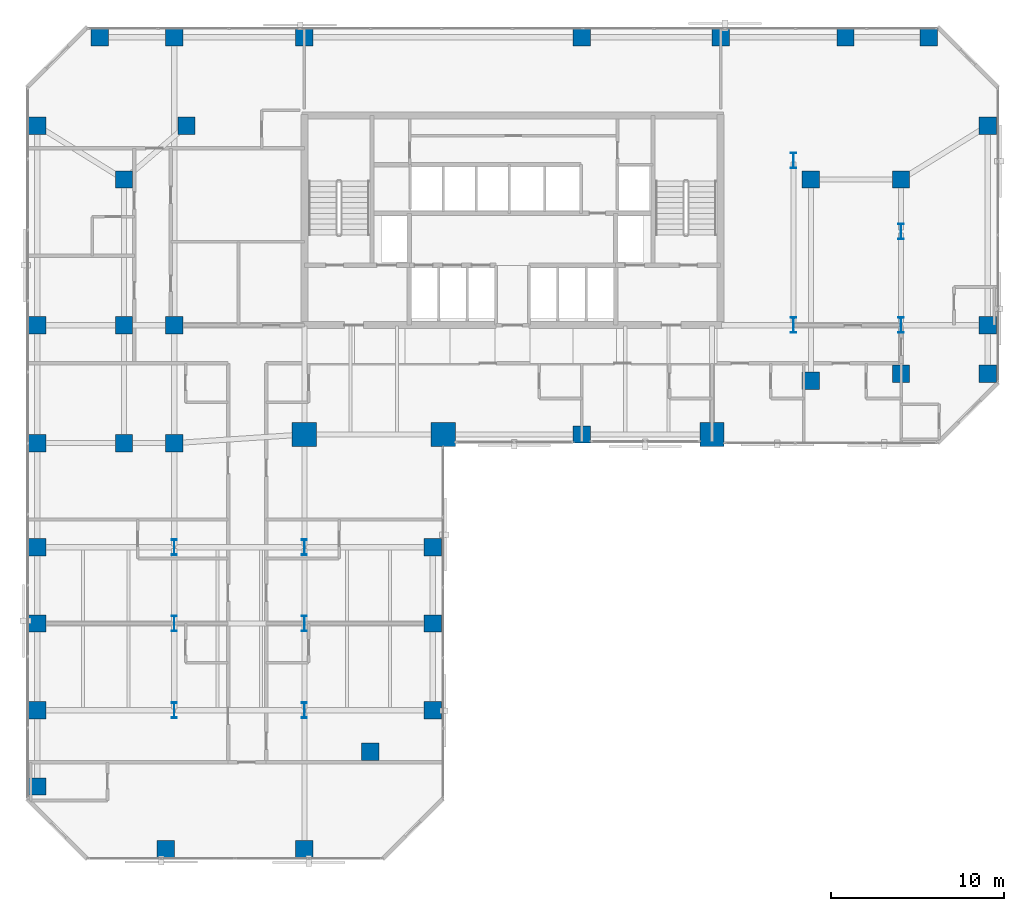
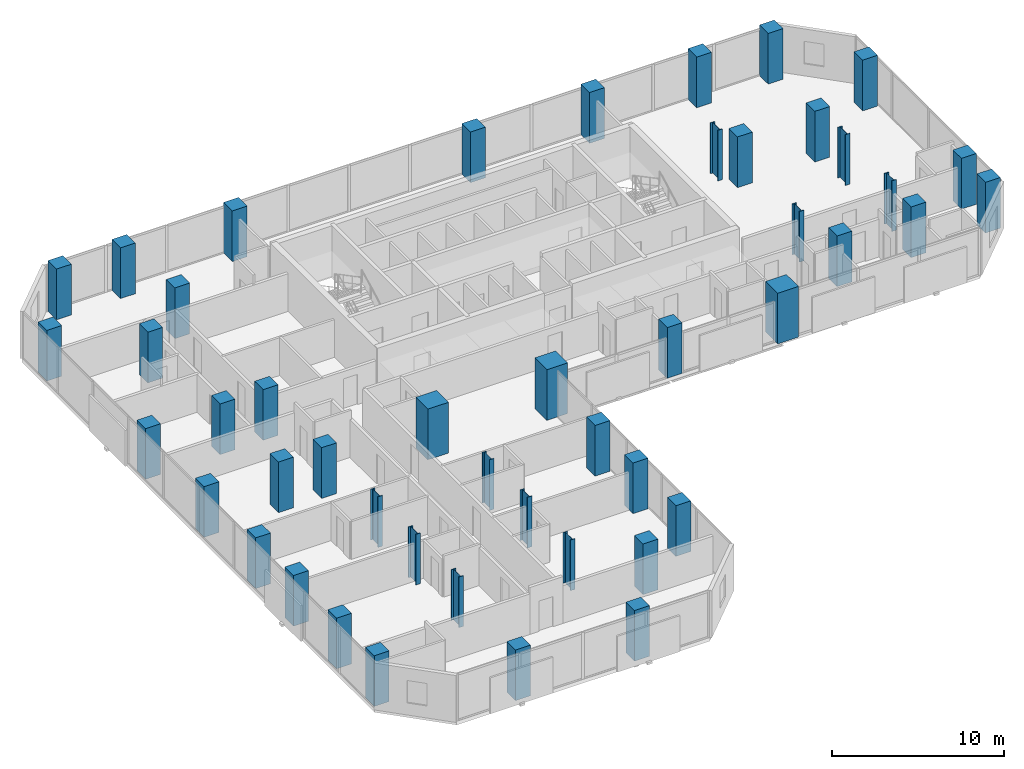
# One storey, part 1 of 32: 47 columns.
"""IFC4 building model written with IfcOpenShell, lengths in metres."""

from ifc_helpers import new_model, si_unit, direction, frame, origin, origin_2d, place, context, subcontext, project, spatial, rectangle, i_section, extrude, material, material_profile, profile_set, type_object, element, save


model = new_model("IFC4")

# Units and contexts
model_context = context("Model", 3, precision=1e-05, world=origin(), true_north=direction((0.0, 1.0)))
body_context = subcontext(model_context, "Body", "Model", "MODEL_VIEW")
ifc_project = project(units=[si_unit("LENGTHUNIT", "METRE"), si_unit("AREAUNIT", "SQUARE_METRE"), si_unit("VOLUMEUNIT", "CUBIC_METRE"), si_unit("PLANEANGLEUNIT", "RADIAN"), si_unit("MASSUNIT", "GRAM", prefix="KILO")], contexts=[model_context])

# Site, building, storey
site_placement = place(None, origin())
site = spatial("IfcSite", under=ifc_project, at=site_placement, CompositionType="ELEMENT")
building_placement = place(site_placement, origin())
building = spatial("IfcBuilding", under=site, at=building_placement, Name="Catumbela Crestline Tower", CompositionType="ELEMENT")
storey_placement = place(building_placement, frame((0.0, 0.0, 33.0)))
storey = spatial("IfcBuildingStorey", under=building, at=storey_placement, Name="L07", CompositionType="ELEMENT", Elevation=33.0)

# Columns
ifc_material_1 = material(Name="Concrete C60/75", Category="concrete")
ifc_material_profile_1 = material_profile(ifc_material_1, rectangle(XDim=1.0, YDim=1.0, at=origin_2d()), Name="RC 1000x1000")
ifc_profile_set_1 = profile_set([ifc_material_profile_1], Name="Concrete C60/75")
column_type_1 = type_object("IfcColumnType", Name="C-RC1000-C60", PredefinedType="COLUMN", material=ifc_profile_set_1)
for number, where, z_axis, x_axis, name in (
    (1, (8.5, 24.0, 0.0), (0.0, 0.0, 1.0), (1.0, 0.0, 0.0), "L07 Column C-08-24 (RC 1000x1000)"),
    (2, (32.0, 24.5, 0.0), (0.0, 0.0, 1.0), (1.0, 0.0, 0.0), "L07 Column C-32-24 (RC 1000x1000)"),
    (3, (5.6, 24.0, 0.0), (0.0, 0.0, 1.0), (1.0, 0.0, 0.0), "L07 Column C-05-24 (RC 1000x1000)"),
    (4, (5.6, 30.8, 0.0), (0.0, 0.0, 1.0), (1.0, 0.0, 0.0), "L07 Column C-05-31 (RC 1000x1000)"),
    (5, (5.6, 39.2, 0.0), (0.0, 0.0, 1.0), (1.0, 0.0, 0.0), "L07 Column C-05-43 (RC 1000x1000)"),
    (6, (8.5, 30.8, 0.0), (0.0, 0.0, 1.0), (1.0, 0.0, 0.0), "L07 Column C-08-31 (RC 1000x1000)"),
    (7, (9.2, 42.3, 0.0), (0.0, 0.0, 1.0), (1.0, 0.0, 0.0), "L07 Column C-08-43 (RC 1000x1000)"),
    (8, (45.2, 27.6, 0.0), (0.0, 0.0, 1.0), (1.0, 0.0, 0.0), "L07 Column C-46-24 (RC 1000x1000)"),
    (9, (45.2, 39.2, 0.0), (0.0, 0.0, 1.0), (1.0, 0.0, 0.0), "L07 Column C-46-43 (RC 1000x1000)"),
    (10, (0.6, 24.0, 0.0), (0.0, 0.0, 1.0), (1.0, 0.0, 0.0), "L07 Column C-00-24 (RC 1000x1000)"),
    (11, (0.6, 30.8, 0.0), (0.0, 0.0, 1.0), (1.0, 0.0, 0.0), "L07 Column C-00-31 (RC 1000x1000)"),
    (12, (0.6, 42.3, 0.0), (0.0, 0.0, 1.0), (1.0, 0.0, 0.0), "L07 Column C-00-43 (RC 1000x1000)"),
    (13, (4.2, 47.4, 0.0), (0.0, 0.0, 1.0), (1.0, 0.0, 0.0), "L07 Column C-00-48 (RC 1000x1000)"),
    (14, (8.5, 47.4, 0.0), (0.0, 0.0, 1.0), (1.0, 0.0, 0.0), "L07 Column C-08-48 (RC 1000x1000)"),
    (15, (16.0, 47.4, 0.0), (0.0, 0.0, 1.0), (1.0, 0.0, 0.0), "L07 Column C-16-48 (RC 1000x1000)"),
    (16, (32.0, 47.4, 0.0), (0.0, 0.0, 1.0), (1.0, 0.0, 0.0), "L07 Column C-32-48 (RC 1000x1000)"),
    (17, (40.0, 47.4, 0.0), (0.0, 0.0, 1.0), (1.0, 0.0, 0.0), "L07 Column C-40-48 (RC 1000x1000)"),
    (18, (47.2, 47.4, 0.0), (0.0, 0.0, 1.0), (1.0, 0.0, 0.0), "L07 Column C-48-48 (RC 1000x1000)"),
    (19, (50.4, 28.0, 0.0), (0.0, 0.0, 1.0), (1.0, 0.0, 0.0), "L07 Column C-51-24 (RC 1000x1000)"),
    (20, (50.4, 39.2, 0.0), (0.0, 0.0, 1.0), (1.0, 0.0, 0.0), "L07 Column C-51-43 (RC 1000x1000)"),
    (21, (55.4, 28.0, 0.0), (0.0, 0.0, 1.0), (1.0, 0.0, 0.0), "L07 Column C-56-24 (RC 1000x1000)"),
    (22, (55.4, 30.8, 0.0), (0.0, 0.0, 1.0), (1.0, 0.0, 0.0), "L07 Column C-56-31 (RC 1000x1000)"),
    (23, (55.4, 42.3, 0.0), (0.0, 0.0, 1.0), (1.0, 0.0, 0.0), "L07 Column C-56-43 (RC 1000x1000)"),
    (24, (52.0, 47.4, 0.0), (0.0, 0.0, 1.0), (1.0, 0.0, 0.0), "L07 Column C-56-48 (RC 1000x1000)"),
    (25, (0.6, 8.6, 0.0), (0.0, 0.0, 1.0), (1.0, 0.0, 0.0), "L07 Column C-00-05 (RC 1000x1000)"),
    (26, (0.6, 13.6, 0.0), (0.0, 0.0, 1.0), (1.0, 0.0, 0.0), "L07 Column C-00-10 (RC 1000x1000)"),
    (27, (0.6, 18.0, 0.0), (0.0, 0.0, 1.0), (1.0, 0.0, 0.0), "L07 Column C-00-16 (RC 1000x1000)"),
    (28, (0.6, 4.2, 0.0), (0.0, 0.0, 1.0), (1.0, 0.0, 0.0), "L07 Column C-00-03 (RC 1000x1000)"),
    (29, (8.0, 0.6, 0.0), (0.0, 0.0, 1.0), (1.0, 0.0, 0.0), "L07 Column C-08-00 (RC 1000x1000)"),
    (30, (16.0, 0.6, 0.0), (0.0, 0.0, 1.0), (1.0, 0.0, 0.0), "L07 Column C-16-00 (RC 1000x1000)"),
    (31, (19.8, 6.2, 0.0), (0.0, 0.0, 1.0), (1.0, 0.0, 0.0), "L07 Column C-24-05 (RC 1000x1000)"),
    (32, (23.4, 8.6, 0.0), (0.0, 0.0, 1.0), (1.0, 0.0, 0.0), "L07 Column C-23-08 (RC 1000x1000)"),
    (33, (23.4, 13.6, 0.0), (0.0, 0.0, 1.0), (1.0, 0.0, 0.0), "L07 Column C-24-10 (RC 1000x1000)"),
    (34, (23.4, 18.0, 0.0), (0.0, 0.0, 1.0), (1.0, 0.0, 0.0), "L07 Column C-24-16 (RC 1000x1000)"),
):
    element("IfcColumn", number, at=place(storey_placement, frame(where, z_axis=z_axis, x_axis=x_axis)), inside=storey, type_object=column_type_1, Name=name, PredefinedType="COLUMN", context=body_context, shape_type="SweptSolid", body=[
        extrude(rectangle(XDim=1.0, YDim=1.0, at=origin_2d()), origin(), (0.0, 0.0, 1.0), 3.6),
    ])
ifc_material_profile_2 = material_profile(ifc_material_1, rectangle(XDim=1.4, YDim=1.4, at=origin_2d()), Name="RC 1400x1400")
ifc_profile_set_2 = profile_set([ifc_material_profile_2], Name="Concrete C60/75")
column_type_2 = type_object("IfcColumnType", Name="C-RC1400-C60", PredefinedType="COLUMN", material=ifc_profile_set_2)
for number, where, z_axis, x_axis, name in (
    (35, (16.0, 24.5, 0.0), (0.0, 0.0, 1.0), (1.0, 0.0, 0.0), "L07 Column C-16-24 (RC 1400x1400)"),
    (36, (24.0, 24.5, 0.0), (0.0, 0.0, 1.0), (1.0, 0.0, 0.0), "L07 Column C-24-24 (RC 1400x1400)"),
    (37, (39.5, 24.5, 0.0), (0.0, 0.0, 1.0), (1.0, 0.0, 0.0), "L07 Column C-40-24 (RC 1400x1400)"),
):
    element("IfcColumn", number, at=place(storey_placement, frame(where, z_axis=z_axis, x_axis=x_axis)), inside=storey, type_object=column_type_2, Name=name, PredefinedType="COLUMN", context=body_context, shape_type="SweptSolid", body=[
        extrude(rectangle(XDim=1.4, YDim=1.4, at=origin_2d()), origin(), (0.0, 0.0, 1.0), 3.6),
    ])
ifc_material_2 = material(Name="Structural steel S460M", Category="steel")
ifc_material_profile_3 = material_profile(ifc_material_2, i_section(OverallWidth=0.3, OverallDepth=0.9, WebThickness=0.0185, FlangeThickness=0.035, FilletRadius=0.03, at=origin_2d()), Name="HEB 900")
ifc_profile_set_3 = profile_set([ifc_material_profile_3], Name="Structural steel S460M")
column_type_3 = type_object("IfcColumnType", Name="C-ST-HEB900", PredefinedType="COLUMN", material=ifc_profile_set_3)
for number, where, z_axis, x_axis, name in (
    (38, (8.5, 8.6, 0.0), (0.0, 0.0, 1.0), (1.0, 0.0, 0.0), "L07 Column CT-05-05 (HEB 900)"),
    (39, (16.0, 8.6, 0.0), (0.0, 0.0, 1.0), (1.0, 0.0, 0.0), "L07 Column CT-14-05 (HEB 900)"),
    (40, (8.5, 13.6, 0.0), (0.0, 0.0, 1.0), (1.0, 0.0, 0.0), "L07 Column CT-05-10 (HEB 900)"),
    (41, (16.0, 13.6, 0.0), (0.0, 0.0, 1.0), (1.0, 0.0, 0.0), "L07 Column CT-14-10 (HEB 900)"),
    (42, (8.5, 18.0, 0.0), (0.0, 0.0, 1.0), (1.0, 0.0, 0.0), "L07 Column CT-05-16 (HEB 900)"),
    (43, (16.0, 18.0, 0.0), (0.0, 0.0, 1.0), (1.0, 0.0, 0.0), "L07 Column CT-14-16 (HEB 900)"),
    (44, (44.2, 30.8, 0.0), (0.0, 0.0, 1.0), (1.0, 0.0, 0.0), "L07 Column CT-46-31 (HEB 900)"),
    (45, (44.2, 40.3, 0.0), (0.0, 0.0, 1.0), (1.0, 0.0, 0.0), "L07 Column CT-46-37 (HEB 900)"),
    (46, (50.4, 30.8, 0.0), (0.0, 0.0, 1.0), (1.0, 0.0, 0.0), "L07 Column CT-51-31 (HEB 900)"),
    (47, (50.4, 36.2, 0.0), (0.0, 0.0, 1.0), (1.0, 0.0, 0.0), "L07 Column CT-51-37 (HEB 900)"),
):
    element("IfcColumn", number, at=place(storey_placement, frame(where, z_axis=z_axis, x_axis=x_axis)), inside=storey, type_object=column_type_3, Name=name, PredefinedType="COLUMN", context=body_context, shape_type="SweptSolid", body=[
        extrude(i_section(OverallWidth=0.3, OverallDepth=0.9, WebThickness=0.0185, FlangeThickness=0.035, FilletRadius=0.03, at=origin_2d()), origin(), (0.0, 0.0, 1.0), 3.6),
    ])

save(model, "model.ifc")
